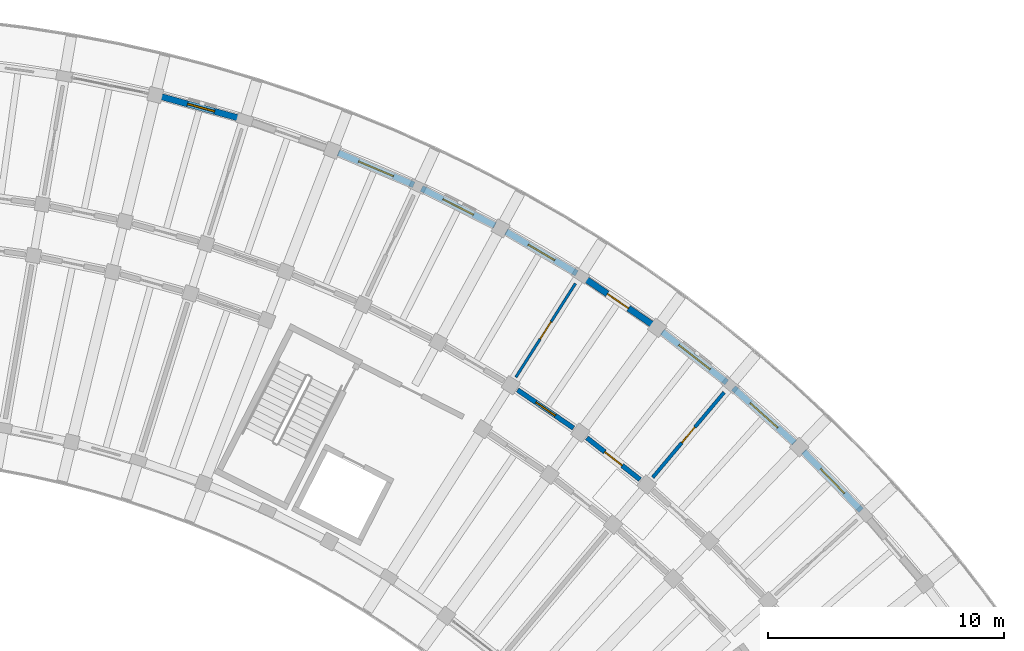
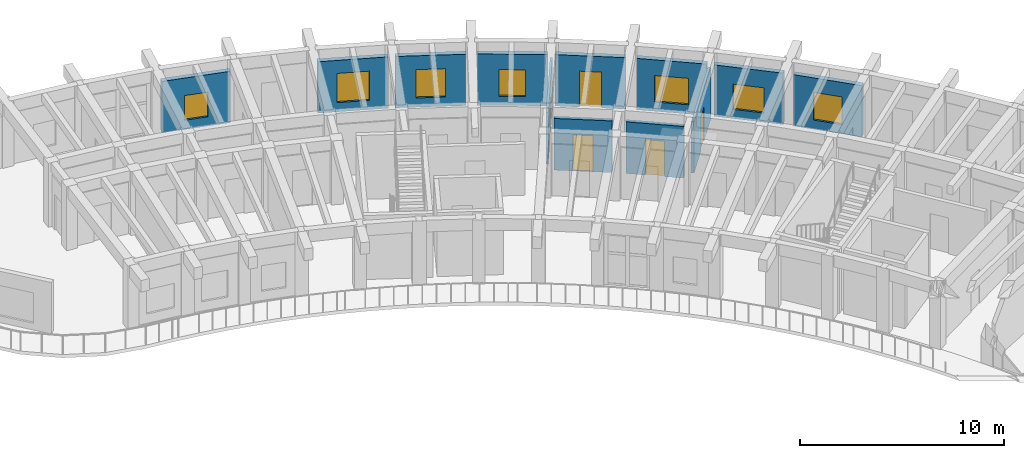
# One storey, part 101 of 128: 12 walls, 7 windows, 5 doors, 12 openings.
"""IFC4 building model written with IfcOpenShell, lengths in metres."""

from ifc_helpers import new_model, si_unit, direction, frame, frame_2d, origin, place, context, subcontext, project, spatial, rectangle, extrude, material, layer, layer_set, type_object, element, fill, save


model = new_model("IFC4")

# Units and contexts
model_context = context("Model", 3, precision=1e-05, world=origin(), true_north=direction((0.0, 1.0)))
body_context = subcontext(model_context, "Body", "Model", "MODEL_VIEW")
ifc_project = project(units=[si_unit("LENGTHUNIT", "METRE"), si_unit("AREAUNIT", "SQUARE_METRE"), si_unit("VOLUMEUNIT", "CUBIC_METRE"), si_unit("PLANEANGLEUNIT", "RADIAN"), si_unit("MASSUNIT", "GRAM", prefix="KILO")], contexts=[model_context])

# Site, building, storey
site_placement = place(None, origin())
site = spatial("IfcSite", under=ifc_project, at=site_placement, CompositionType="ELEMENT")
building_placement = place(site_placement, origin())
building = spatial("IfcBuilding", under=site, at=building_placement, Name="Tanwirah Colonnade Gardens", CompositionType="ELEMENT")
storey_placement = place(building_placement, frame((0.0, 0.0, 4.760009765625)))
storey = spatial("IfcBuildingStorey", under=building, at=storey_placement, Name="L01", CompositionType="ELEMENT", Elevation=4.760009765625)

# Wall, opening, window
ifc_material_1 = material(Name="Limestone architectural precast concrete C40/50", Category="masonry")
ifc_layer_1 = layer(ifc_material_1, 0.27001953125)
ifc_layer_set_1 = layer_set([ifc_layer_1], Name="Limestone architectural precast concrete C40/50")
wall_type_1 = type_object("IfcWallType", Name="EW-PC270", PredefinedType="SOLIDWALL", material=ifc_layer_set_1)
wall_1_placement = place(storey_placement, frame((164.818115234375, 100.517578125, 0.0), z_axis=(0.0, 0.0, 1.0), x_axis=(-0.69884067125, 0.715277370121, 0.0)))
wall_1 = element("IfcWall", 1, at=wall_1_placement, inside=storey, type_object=wall_type_1, Name="Block B L01 OUT Precast Facade Wall 7", PredefinedType="SOLIDWALL", context=body_context, shape_type="SweptSolid", body=[
    extrude(rectangle(XDim=3.4755859375, YDim=0.27001953125, at=frame_2d((1.73779296875, 0.0))), origin(), (0.0, 0.0, 1.0), 3.074951171875),
])
opening_1_placement = place(wall_1_placement, frame((1.017822265625, 0.0, 0.550048828125)))
opening_1 = element("IfcOpeningElement", 2, at=opening_1_placement, cuts=wall_1, Name="Opening WIN-U08", PredefinedType="OPENING", context=body_context, shape_type="SweptSolid", body=[
    extrude(rectangle(XDim=1.43994140625, YDim=1.659912109375, at=frame_2d((0.719970703125, 0.830078125))), frame((0.0, 0.14501953125, 0.0), z_axis=(0.0, -1.0, 0.0), x_axis=(1.0, 0.0, 0.0)), (0.0, 0.0, 1.0), 0.2900390625),
])
ifc_material_2 = material(Name="Thermally broken bronze aluminium and solar low-E double glazing", Category="aluminium")
window_type_1 = type_object("IfcWindowType", Name="WIN-U08", PartitioningType="DOUBLE_PANEL_VERTICAL", PredefinedType="WINDOW", material=ifc_material_2)
window_1_placement = place(opening_1_placement, origin())
window_1 = element("IfcWindow", 3, at=window_1_placement, inside=storey, type_object=window_type_1, Name="Facade window B-L01-OUT-07", OverallHeight=1.659912109375, OverallWidth=1.43994140625, PartitioningType="SINGLE_PANEL", PredefinedType="WINDOW", context=body_context, shape_type="SweptSolid", body=[
    extrude(rectangle(XDim=1.43994140625, YDim=1.659912109375, at=frame_2d((0.719970703125, 0.830078125))), frame((0.0, 0.030029296875, 0.0), z_axis=(0.0, -1.0, 0.0), x_axis=(1.0, 0.0, 0.0)), (0.0, 0.0, 1.0), 0.06005859375),
])
fill(opening_1, window_1)

wall_2_placement = place(storey_placement, frame((161.99951171875, 103.377197265625, 0.0), z_axis=(0.0, 0.0, 1.0), x_axis=(-0.744452648125, 0.667675261411, 0.0)))
wall_2 = element("IfcWall", 4, at=wall_2_placement, inside=storey, type_object=wall_type_1, Name="Block B L01 OUT Precast Facade Wall 8", PredefinedType="SOLIDWALL", context=body_context, shape_type="SweptSolid", body=[
    extrude(rectangle(XDim=3.4755859375, YDim=0.27001953125, at=frame_2d((1.73779296875, 0.0))), origin(), (0.0, 0.0, 1.0), 3.074951171875),
])
opening_2_placement = place(wall_2_placement, frame((0.957763671875, 0.0, 0.550048828125)))
opening_2 = element("IfcOpeningElement", 5, at=opening_2_placement, cuts=wall_2, Name="Opening WIN-U11", PredefinedType="OPENING", context=body_context, shape_type="SweptSolid", body=[
    extrude(rectangle(XDim=1.56005859375, YDim=1.510009765625, at=frame_2d((0.780029296875, 0.7548828125))), frame((0.0, 0.14501953125, 0.0), z_axis=(0.0, -1.0, 0.0), x_axis=(1.0, 0.0, 0.0)), (0.0, 0.0, 1.0), 0.2900390625),
])
window_type_2 = type_object("IfcWindowType", Name="WIN-U11", PartitioningType="DOUBLE_PANEL_VERTICAL", PredefinedType="WINDOW", material=ifc_material_2)
window_2_placement = place(opening_2_placement, origin())
window_2 = element("IfcWindow", 6, at=window_2_placement, inside=storey, type_object=window_type_2, Name="Facade window B-L01-OUT-08", OverallHeight=1.510009765625, OverallWidth=1.56005859375, PartitioningType="SINGLE_PANEL", PredefinedType="WINDOW", context=body_context, shape_type="SweptSolid", body=[
    extrude(rectangle(XDim=1.56005859375, YDim=1.510009765625, at=frame_2d((0.780029296875, 0.7548828125))), frame((0.0, 0.030029296875, 0.0), z_axis=(0.0, -1.0, 0.0), x_axis=(1.0, 0.0, 0.0)), (0.0, 0.0, 1.0), 0.06005859375),
])
fill(opening_2, window_2)

wall_3_placement = place(storey_placement, frame((159.136474609375, 105.928955078125, 0.0), z_axis=(0.0, 0.0, 1.0), x_axis=(-0.786815295284, 0.617188537731, 0.0)))
wall_3 = element("IfcWall", 7, at=wall_3_placement, inside=storey, type_object=wall_type_1, Name="Block B L01 OUT Precast Facade Wall 9", PredefinedType="SOLIDWALL", context=body_context, shape_type="SweptSolid", body=[
    extrude(rectangle(XDim=3.475830078125, YDim=0.27001953125, at=frame_2d((1.73779296875, 0.0))), origin(), (0.0, 0.0, 1.0), 3.074951171875),
])
opening_3_placement = place(wall_3_placement, frame((0.897705078125, 0.0, 0.550048828125)))
opening_3 = element("IfcOpeningElement", 8, at=opening_3_placement, cuts=wall_3, Name="Opening WIN-U14", PredefinedType="OPENING", context=body_context, shape_type="SweptSolid", body=[
    extrude(rectangle(XDim=1.679931640625, YDim=1.5849609375, at=frame_2d((0.83984375, 0.79248046875))), frame((0.0, 0.14501953125, 0.0), z_axis=(0.0, -1.0, 0.0), x_axis=(1.0, 0.0, 0.0)), (0.0, 0.0, 1.0), 0.2900390625),
])
window_type_3 = type_object("IfcWindowType", Name="WIN-U14", PartitioningType="DOUBLE_PANEL_VERTICAL", PredefinedType="WINDOW", material=ifc_material_2)
window_3_placement = place(opening_3_placement, origin())
window_3 = element("IfcWindow", 9, at=window_3_placement, inside=storey, type_object=window_type_3, Name="Facade window B-L01-OUT-09", OverallHeight=1.5849609375, OverallWidth=1.679931640625, PartitioningType="SINGLE_PANEL", PredefinedType="WINDOW", context=body_context, shape_type="SweptSolid", body=[
    extrude(rectangle(XDim=1.679931640625, YDim=1.5849609375, at=frame_2d((0.83984375, 0.79248046875))), frame((0.0, 0.030029296875, 0.0), z_axis=(0.0, -1.0, 0.0), x_axis=(1.0, 0.0, 0.0)), (0.0, 0.0, 1.0), 0.06005859375),
])
fill(opening_3, window_3)

# Wall, opening, door
wall_4_placement = place(storey_placement, frame((155.96630859375, 108.39306640625, 0.0), z_axis=(0.0, 0.0, 1.0), x_axis=(-0.825751510897, 0.564034078981, 0.0)))
wall_4 = element("IfcWall", 10, at=wall_4_placement, inside=storey, type_object=wall_type_1, Name="Block B L01 OUT Precast Facade Wall 10", PredefinedType="SOLIDWALL", context=body_context, shape_type="SweptSolid", body=[
    extrude(rectangle(XDim=3.475830078125, YDim=0.27001953125, at=frame_2d((1.73779296875, 0.0))), origin(), (0.0, 0.0, 1.0), 3.074951171875),
])
opening_4_placement = place(wall_4_placement, frame((1.197998046875, 0.0, 0.0)))
opening_4 = element("IfcOpeningElement", 11, at=opening_4_placement, cuts=wall_4, Name="Opening L01-ED073", PredefinedType="OPENING", context=body_context, shape_type="SweptSolid", body=[
    extrude(rectangle(XDim=1.080078125, YDim=2.14990234375, at=frame_2d((0.5400390625, 1.074951171875))), frame((0.0, 0.14501953125, 0.0), z_axis=(0.0, -1.0, 0.0), x_axis=(1.0, 0.0, 0.0)), (0.0, 0.0, 1.0), 0.2900390625),
])
ifc_material_3 = material(Name="Bronze aluminium glazed balcony door", Category="aluminium")
door_type_1 = type_object("IfcDoorType", Name="ED-BAL108", OperationType="NOTDEFINED", PredefinedType="DOOR", material=ifc_material_3)
door_1_placement = place(opening_4_placement, origin())
door_1 = element("IfcDoor", 12, at=door_1_placement, inside=storey, type_object=door_type_1, Name="Balcony glazed door L01-ED073", OperationType="SINGLE_SWING_RIGHT", OverallHeight=2.14990234375, OverallWidth=1.080078125, PredefinedType="DOOR", context=body_context, shape_type="SweptSolid", body=[
    extrude(rectangle(XDim=1.080078125, YDim=2.14990234375, at=frame_2d((0.5400390625, 1.074951171875))), frame((0.0, 0.02490234375, 0.0), z_axis=(0.0, -1.0, 0.0), x_axis=(1.0, 0.0, 0.0)), (0.0, 0.0, 1.0), 0.050048828125),
])
fill(opening_4, door_1)

# Wall, opening, window
wall_5_placement = place(storey_placement, frame((152.79248046875, 110.54638671875, 0.0), z_axis=(0.0, 0.0, 1.0), x_axis=(-0.861127819205, 0.50838851186, 0.0)))
wall_5 = element("IfcWall", 13, at=wall_5_placement, inside=storey, type_object=wall_type_1, Name="Block B L01 OUT Precast Facade Wall 11", PredefinedType="SOLIDWALL", context=body_context, shape_type="SweptSolid", body=[
    extrude(rectangle(XDim=3.475830078125, YDim=0.27001953125, at=frame_2d((1.73779296875, 0.0))), origin(), (0.0, 0.0, 1.0), 3.074951171875),
])
opening_5_placement = place(wall_5_placement, frame((1.087890625, 0.0, 0.550048828125)))
opening_5 = element("IfcOpeningElement", 14, at=opening_5_placement, cuts=wall_5, Name="Opening WIN-T04", PredefinedType="OPENING", context=body_context, shape_type="SweptSolid", body=[
    extrude(rectangle(XDim=1.300048828125, YDim=1.60009765625, at=frame_2d((0.64990234375, 0.800048828125))), frame((0.0, 0.14501953125, 0.0), z_axis=(0.0, -1.0, 0.0), x_axis=(1.0, 0.0, 0.0)), (0.0, 0.0, 1.0), 0.2900390625),
])
window_type_4 = type_object("IfcWindowType", Name="WIN-T04", PartitioningType="DOUBLE_PANEL_VERTICAL", PredefinedType="WINDOW", material=ifc_material_2)
window_4_placement = place(opening_5_placement, origin())
window_4 = element("IfcWindow", 15, at=window_4_placement, inside=storey, type_object=window_type_4, Name="Facade window B-L01-OUT-11", OverallHeight=1.60009765625, OverallWidth=1.300048828125, PartitioningType="SINGLE_PANEL", PredefinedType="WINDOW", context=body_context, shape_type="SweptSolid", body=[
    extrude(rectangle(XDim=1.300048828125, YDim=1.60009765625, at=frame_2d((0.64990234375, 0.800048828125))), frame((0.0, 0.030029296875, 0.0), z_axis=(0.0, -1.0, 0.0), x_axis=(1.0, 0.0, 0.0)), (0.0, 0.0, 1.0), 0.06005859375),
])
fill(opening_5, window_4)

wall_6_placement = place(storey_placement, frame((149.325927734375, 112.572265625, 0.0), z_axis=(0.0, 0.0, 1.0), x_axis=(-0.89276335836, 0.450525899333, 0.0)))
wall_6 = element("IfcWall", 16, at=wall_6_placement, inside=storey, type_object=wall_type_1, Name="Block B L01 OUT Precast Facade Wall 12", PredefinedType="SOLIDWALL", context=body_context, shape_type="SweptSolid", body=[
    extrude(rectangle(XDim=3.475830078125, YDim=0.27001953125, at=frame_2d((1.73779296875, 0.0))), origin(), (0.0, 0.0, 1.0), 3.074951171875),
])
opening_6_placement = place(wall_6_placement, frame((1.012939453125, 0.0, 0.550048828125)))
opening_6 = element("IfcOpeningElement", 17, at=opening_6_placement, cuts=wall_6, Name="Opening WIN-T07", PredefinedType="OPENING", context=body_context, shape_type="SweptSolid", body=[
    extrude(rectangle(XDim=1.449951171875, YDim=1.699951171875, at=frame_2d((0.72509765625, 0.85009765625))), frame((0.0, 0.14501953125, 0.0), z_axis=(0.0, -1.0, 0.0), x_axis=(1.0, 0.0, 0.0)), (0.0, 0.0, 1.0), 0.2900390625),
])
window_type_5 = type_object("IfcWindowType", Name="WIN-T07", PartitioningType="DOUBLE_PANEL_VERTICAL", PredefinedType="WINDOW", material=ifc_material_2)
window_5_placement = place(opening_6_placement, origin())
window_5 = element("IfcWindow", 18, at=window_5_placement, inside=storey, type_object=window_type_5, Name="Facade window B-L01-OUT-12", OverallHeight=1.699951171875, OverallWidth=1.449951171875, PartitioningType="SINGLE_PANEL", PredefinedType="WINDOW", context=body_context, shape_type="SweptSolid", body=[
    extrude(rectangle(XDim=1.449951171875, YDim=1.699951171875, at=frame_2d((0.72509765625, 0.85009765625))), frame((0.0, 0.030029296875, 0.0), z_axis=(0.0, -1.0, 0.0), x_axis=(1.0, 0.0, 0.0)), (0.0, 0.0, 1.0), 0.06005859375),
])
fill(opening_6, window_5)

wall_7_placement = place(storey_placement, frame((145.896484375, 114.28955078125, 0.0), z_axis=(0.0, 0.0, 1.0), x_axis=(-0.920498347177, 0.390746455959, 0.0)))
wall_7 = element("IfcWall", 19, at=wall_7_placement, inside=storey, type_object=wall_type_1, Name="Block B L01 OUT Precast Facade Wall 13", PredefinedType="SOLIDWALL", context=body_context, shape_type="SweptSolid", body=[
    extrude(rectangle(XDim=3.475830078125, YDim=0.27001953125, at=frame_2d((1.73779296875, 0.0))), origin(), (0.0, 0.0, 1.0), 3.074951171875),
])
opening_7_placement = place(wall_7_placement, frame((0.937744140625, 0.0, 0.550048828125)))
opening_7 = element("IfcOpeningElement", 20, at=opening_7_placement, cuts=wall_7, Name="Opening WIN-T10", PredefinedType="OPENING", context=body_context, shape_type="SweptSolid", body=[
    extrude(rectangle(XDim=1.60009765625, YDim=1.75, at=frame_2d((0.800048828125, 0.875))), frame((0.0, 0.14501953125, 0.0), z_axis=(0.0, -1.0, 0.0), x_axis=(1.0, 0.0, 0.0)), (0.0, 0.0, 1.0), 0.2900390625),
])
window_type_6 = type_object("IfcWindowType", Name="WIN-T10", PartitioningType="DOUBLE_PANEL_VERTICAL", PredefinedType="WINDOW", material=ifc_material_2)
window_6_placement = place(opening_7_placement, origin())
window_6 = element("IfcWindow", 21, at=window_6_placement, inside=storey, type_object=window_type_6, Name="Facade window B-L01-OUT-13", OverallHeight=1.75, OverallWidth=1.60009765625, PartitioningType="SINGLE_PANEL", PredefinedType="WINDOW", context=body_context, shape_type="SweptSolid", body=[
    extrude(rectangle(XDim=1.60009765625, YDim=1.75, at=frame_2d((0.800048828125, 0.875))), frame((0.0, 0.030029296875, 0.0), z_axis=(0.0, -1.0, 0.0), x_axis=(1.0, 0.0, 0.0)), (0.0, 0.0, 1.0), 0.06005859375),
])
fill(opening_7, window_6)

wall_8_placement = place(storey_placement, frame((138.568359375, 117.09375, 0.0), z_axis=(0.0, 0.0, 1.0), x_axis=(-0.963896315356, 0.266277849706, 0.0)))
wall_8 = element("IfcWall", 22, at=wall_8_placement, inside=storey, type_object=wall_type_1, Name="Block B L01 OUT Precast Facade Wall 15", PredefinedType="SOLIDWALL", context=body_context, shape_type="SweptSolid", body=[
    extrude(rectangle(XDim=3.475830078125, YDim=0.27001953125, at=frame_2d((1.73779296875, 0.0))), origin(), (0.0, 0.0, 1.0), 3.074951171875),
])
opening_8_placement = place(wall_8_placement, frame((1.147705078125, 0.0, 0.550048828125)))
opening_8 = element("IfcOpeningElement", 23, at=opening_8_placement, cuts=wall_8, Name="Opening WIN-T16", PredefinedType="OPENING", context=body_context, shape_type="SweptSolid", body=[
    extrude(rectangle(XDim=1.179931640625, YDim=1.47998046875, at=frame_2d((0.58984375, 0.739990234375))), frame((0.0, 0.14501953125, 0.0), z_axis=(0.0, -1.0, 0.0), x_axis=(1.0, 0.0, 0.0)), (0.0, 0.0, 1.0), 0.2900390625),
])
window_type_7 = type_object("IfcWindowType", Name="WIN-T16", PartitioningType="SINGLE_PANEL", PredefinedType="WINDOW", material=ifc_material_2)
window_7_placement = place(opening_8_placement, origin())
window_7 = element("IfcWindow", 24, at=window_7_placement, inside=storey, type_object=window_type_7, Name="Facade window B-L01-OUT-15", OverallHeight=1.47998046875, OverallWidth=1.179931640625, PartitioningType="SINGLE_PANEL", PredefinedType="WINDOW", context=body_context, shape_type="SweptSolid", body=[
    extrude(rectangle(XDim=1.179931640625, YDim=1.47998046875, at=frame_2d((0.58984375, 0.739990234375))), frame((0.0, 0.030029296875, 0.0), z_axis=(0.0, -1.0, 0.0), x_axis=(1.0, 0.0, 0.0)), (0.0, 0.0, 1.0), 0.06005859375),
])
fill(opening_8, window_7)

# Wall, opening, door
ifc_material_4 = material(Name="Precast concrete C40/50", Category="concrete")
ifc_layer_2 = layer(ifc_material_4, 0.205078125)
ifc_layer_set_2 = layer_set([ifc_layer_2], Name="Precast concrete C40/50")
wall_type_2 = type_object("IfcWallType", Name="IW-CORR205", PredefinedType="PARTITIONING", material=ifc_layer_set_2)
wall_9_placement = place(storey_placement, frame((155.46728515625, 101.82080078125, 0.0), z_axis=(0.0, 0.0, 1.0), x_axis=(-0.786806323554, 0.617199975061, 0.0)))
wall_9 = element("IfcWall", 25, at=wall_9_placement, inside=storey, type_object=wall_type_2, Name="Block B L01 OUT Corridor Wall 9", PredefinedType="PARTITIONING", context=body_context, shape_type="SweptSolid", body=[
    extrude(rectangle(XDim=2.863037109375, YDim=0.205078125, at=frame_2d((1.431640625, 0.0))), origin(), (0.0, 0.0, 1.0), 3.090087890625),
])
opening_9_placement = place(wall_9_placement, frame((0.966552734375, 0.0, 0.0)))
opening_9 = element("IfcOpeningElement", 26, at=opening_9_placement, cuts=wall_9, Name="Opening L01-AD855", PredefinedType="OPENING", context=body_context, shape_type="SweptSolid", body=[
    extrude(rectangle(XDim=0.929931640625, YDim=2.1201171875, at=frame_2d((0.46484375, 1.06005859375))), frame((0.0, 0.112548828125, 0.0), z_axis=(0.0, -1.0, 0.0), x_axis=(1.0, 0.0, 0.0)), (0.0, 0.0, 1.0), 0.22509765625),
])
ifc_material_5 = material(Name="Solid oak fire-resisting apartment entrance door")
door_type_2 = type_object("IfcDoorType", Name="ID-FLT093", OperationType="NOTDEFINED", PredefinedType="DOOR", material=ifc_material_5)
door_2_placement = place(opening_9_placement, origin())
door_2 = element("IfcDoor", 27, at=door_2_placement, inside=storey, type_object=door_type_2, Name="Apartment corridor door L01-AD855", OperationType="SINGLE_SWING_LEFT", OverallHeight=2.1201171875, OverallWidth=0.929931640625, PredefinedType="DOOR", context=body_context, shape_type="SweptSolid", body=[
    extrude(rectangle(XDim=0.929931640625, YDim=2.1201171875, at=frame_2d((0.46484375, 1.06005859375))), frame((0.0, 0.02490234375, 0.0), z_axis=(0.0, -1.0, 0.0), x_axis=(1.0, 0.0, 0.0)), (0.0, 0.0, 1.0), 0.050048828125),
])
fill(opening_9, door_2)

wall_10_placement = place(storey_placement, frame((152.650146484375, 104.001220703125, 0.0), z_axis=(0.0, 0.0, 1.0), x_axis=(-0.825779671787, 0.563992848947, 0.0)))
wall_10 = element("IfcWall", 28, at=wall_10_placement, inside=storey, type_object=wall_type_2, Name="Block B L01 OUT Corridor Wall 10", PredefinedType="PARTITIONING", context=body_context, shape_type="SweptSolid", body=[
    extrude(rectangle(XDim=2.863037109375, YDim=0.205078125, at=frame_2d((1.431640625, 0.0))), origin(), (0.0, 0.0, 1.0), 3.090087890625),
])
opening_10_placement = place(wall_10_placement, frame((0.9365234375, 0.0, 0.0)))
opening_10 = element("IfcOpeningElement", 29, at=opening_10_placement, cuts=wall_10, Name="Opening L01-AD857", PredefinedType="OPENING", context=body_context, shape_type="SweptSolid", body=[
    extrude(rectangle(XDim=0.989990234375, YDim=2.159912109375, at=frame_2d((0.4951171875, 1.080078125))), frame((0.0, 0.112548828125, 0.0), z_axis=(0.0, -1.0, 0.0), x_axis=(1.0, 0.0, 0.0)), (0.0, 0.0, 1.0), 0.22509765625),
])
door_type_3 = type_object("IfcDoorType", Name="ID-FLT099", OperationType="NOTDEFINED", PredefinedType="DOOR", material=ifc_material_5)
door_3_placement = place(opening_10_placement, origin())
door_3 = element("IfcDoor", 30, at=door_3_placement, inside=storey, type_object=door_type_3, Name="Apartment corridor door L01-AD857", OperationType="SINGLE_SWING_RIGHT", OverallHeight=2.159912109375, OverallWidth=0.989990234375, PredefinedType="DOOR", context=body_context, shape_type="SweptSolid", body=[
    extrude(rectangle(XDim=0.989990234375, YDim=2.159912109375, at=frame_2d((0.4951171875, 1.080078125))), frame((0.0, 0.02490234375, 0.0), z_axis=(0.0, -1.0, 0.0), x_axis=(1.0, 0.0, 0.0)), (0.0, 0.0, 1.0), 0.050048828125),
])
fill(opening_10, door_3)

ifc_material_6 = material(Name="Acoustic gypsum stud partition")
ifc_layer_3 = layer(ifc_material_6, 0.114990234375)
ifc_layer_set_3 = layer_set([ifc_layer_3], Name="Acoustic gypsum stud partition")
wall_type_3 = type_object("IfcWallType", Name="IW-INT115", PredefinedType="PARTITIONING", material=ifc_layer_set_3)
wall_11_placement = place(storey_placement, frame((150.21142578125, 106.151123046875, 0.0), z_axis=(0.0, 0.0, 1.0), x_axis=(0.536492262982, 0.843905238614, 0.0)))
wall_11 = element("IfcWall", 31, at=wall_11_placement, inside=storey, type_object=wall_type_3, Name="Block B L01 Radial Partition 10", PredefinedType="PARTITIONING", context=body_context, shape_type="SweptSolid", body=[
    extrude(rectangle(XDim=4.699951171875, YDim=0.114990234375, at=frame_2d((2.35009765625, 0.0))), origin(), (0.0, 0.0, 1.0), 3.090087890625),
])
opening_11_placement = place(wall_11_placement, frame((1.9150390625, 0.0, 0.0)))
opening_11 = element("IfcOpeningElement", 32, at=opening_11_placement, cuts=wall_11, Name="Opening L01-RD859", PredefinedType="OPENING", context=body_context, shape_type="SweptSolid", body=[
    extrude(rectangle(XDim=0.8701171875, YDim=2.080078125, at=frame_2d((0.43505859375, 1.0400390625))), frame((0.0, 0.0673828125, 0.0), z_axis=(0.0, -1.0, 0.0), x_axis=(1.0, 0.0, 0.0)), (0.0, 0.0, 1.0), 0.135009765625),
])
ifc_material_7 = material(Name="Painted hardwood study door", Category="wood")
door_type_4 = type_object("IfcDoorType", Name="ID-RM087", OperationType="NOTDEFINED", PredefinedType="DOOR", material=ifc_material_7)
door_4_placement = place(opening_11_placement, origin())
door_4 = element("IfcDoor", 33, at=door_4_placement, inside=storey, type_object=door_type_4, Name="Internal apartment door L01-RD859", OperationType="SINGLE_SWING_RIGHT", OverallHeight=2.080078125, OverallWidth=0.8701171875, PredefinedType="DOOR", context=body_context, shape_type="SweptSolid", body=[
    extrude(rectangle(XDim=0.8701171875, YDim=2.080078125, at=frame_2d((0.43505859375, 1.0400390625))), frame((0.0, 0.02490234375, 0.0), z_axis=(0.0, -1.0, 0.0), x_axis=(1.0, 0.0, 0.0)), (0.0, 0.0, 1.0), 0.050048828125),
])
fill(opening_11, door_4)

ifc_material_8 = material(Name="Water-resistant acoustic plumbing partition")
ifc_layer_4 = layer(ifc_material_8, 0.14990234375)
ifc_layer_set_4 = layer_set([ifc_layer_4], Name="Water-resistant acoustic plumbing partition")
wall_type_4 = type_object("IfcWallType", Name="IW-WET150", PredefinedType="PLUMBINGWALL", material=ifc_layer_set_4)
wall_12_placement = place(storey_placement, frame((155.999755859375, 101.9111328125, 0.0), z_axis=(0.0, 0.0, 1.0), x_axis=(0.642811926223, 0.766024038465, 0.0)))
wall_12 = element("IfcWall", 34, at=wall_12_placement, inside=storey, type_object=wall_type_4, Name="Block B L01 Radial Partition 8", PredefinedType="PLUMBINGWALL", context=body_context, shape_type="SweptSolid", body=[
    extrude(rectangle(XDim=4.699951171875, YDim=0.14990234375, at=frame_2d((2.35009765625, 0.0))), origin(), (0.0, 0.0, 1.0), 3.090087890625),
])
opening_12_placement = place(wall_12_placement, frame((1.919921875, 0.0, 0.0)))
opening_12 = element("IfcOpeningElement", 35, at=opening_12_placement, cuts=wall_12, Name="Opening L01-RD854", PredefinedType="OPENING", context=body_context, shape_type="SweptSolid", body=[
    extrude(rectangle(XDim=0.860107421875, YDim=2.06005859375, at=frame_2d((0.43017578125, 1.030029296875))), frame((0.0, 0.0849609375, 0.0), z_axis=(0.0, -1.0, 0.0), x_axis=(1.0, 0.0, 0.0)), (0.0, 0.0, 1.0), 0.169921875),
])
ifc_material_9 = material(Name="Moisture-resistant bathroom door")
door_type_5 = type_object("IfcDoorType", Name="ID-WET086", OperationType="NOTDEFINED", PredefinedType="DOOR", material=ifc_material_9)
door_5_placement = place(opening_12_placement, origin())
door_5 = element("IfcDoor", 36, at=door_5_placement, inside=storey, type_object=door_type_5, Name="Internal apartment door L01-RD854", OperationType="SINGLE_SWING_RIGHT", OverallHeight=2.06005859375, OverallWidth=0.860107421875, PredefinedType="DOOR", context=body_context, shape_type="SweptSolid", body=[
    extrude(rectangle(XDim=0.860107421875, YDim=2.06005859375, at=frame_2d((0.43017578125, 1.030029296875))), frame((0.0, 0.02490234375, 0.0), z_axis=(0.0, -1.0, 0.0), x_axis=(1.0, 0.0, 0.0)), (0.0, 0.0, 1.0), 0.050048828125),
])
fill(opening_12, door_5)

save(model, "model.ifc")
